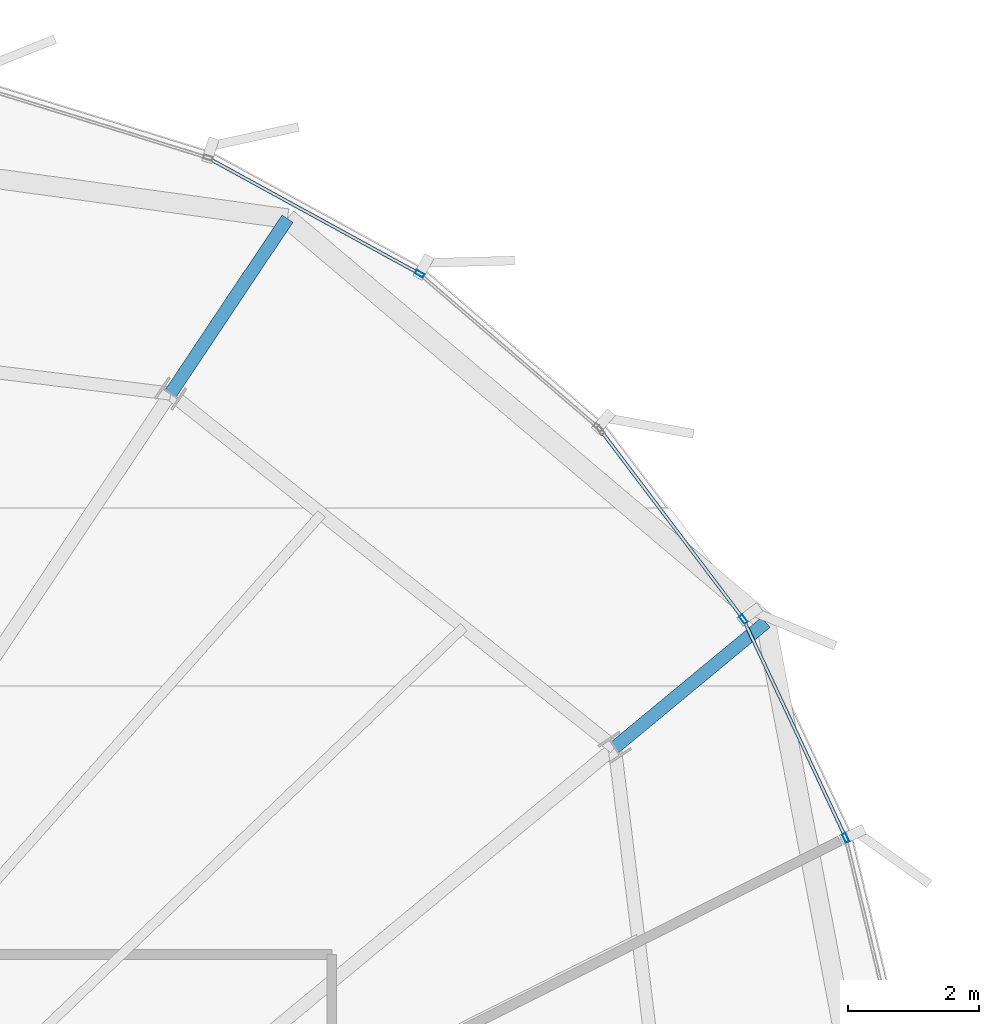
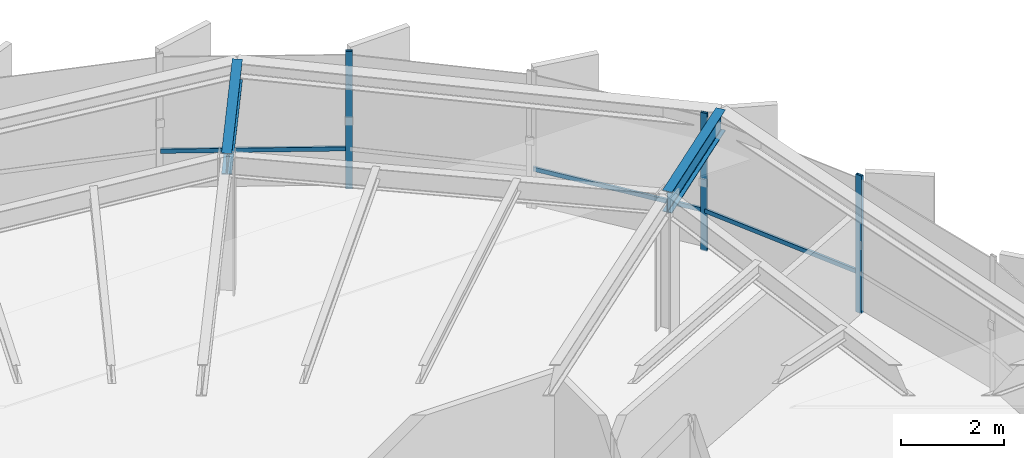
# One storey, part 25 of 34: 6 members, 2 beams, 2 elements without a shape of their own.
"""IFC4 building model written with IfcOpenShell, lengths in metres."""

from ifc_helpers import new_model, si_unit, direction, frame, origin, origin_2d, place, context, subcontext, project, spatial, hollow_rectangle, i_section, extrude, source, transform, mapped, material, layer, layer_set, material_profile, profile_set, type_object, element, aggregate, save


model = new_model("IFC4")

# Units and contexts
model_context = context("Model", 3, precision=1e-05, world=origin(), true_north=direction((0.0, 1.0)))
body_context = subcontext(model_context, "Body", "Model", "MODEL_VIEW")
ifc_project = project(units=[si_unit("LENGTHUNIT", "METRE"), si_unit("AREAUNIT", "SQUARE_METRE"), si_unit("VOLUMEUNIT", "CUBIC_METRE"), si_unit("PLANEANGLEUNIT", "RADIAN"), si_unit("MASSUNIT", "GRAM", prefix="KILO"), si_unit("THERMODYNAMICTEMPERATUREUNIT", "KELVIN")], contexts=[model_context])

# Site, building, storey
site_placement = place(None, origin())
site = spatial("IfcSite", under=ifc_project, at=site_placement, CompositionType="ELEMENT")
building_placement = place(site_placement, origin())
building = spatial("IfcBuilding", under=site, at=building_placement, Name="Kethvar Cultural Tower", CompositionType="ELEMENT")
storey_placement = place(building_placement, frame((0.0, 0.0, 207.89990234375)))
storey = spatial("IfcBuildingStorey", under=building, at=storey_placement, Name="L54", CompositionType="ELEMENT", Elevation=207.89990234375)

# Beams
ifc_material_1 = material(Name="Steel S355J2", Category="steel")
ifc_material_profile_1 = material_profile(ifc_material_1, i_section(OverallWidth=0.199951171875, OverallDepth=0.5, WebThickness=0.01025390625, FlangeThickness=0.01611328125, FilletRadius=0.02099609375, at=origin_2d()), Name="Steel S355J2 — IPE500")
ifc_profile_set_1 = profile_set([ifc_material_profile_1], Name="Steel S355J2 — IPE500")
beam_type = type_object("IfcBeamType", Name="BM-IPE500", PredefinedType="BEAM", material=ifc_profile_set_1)
shared_shape_1 = source(origin(), body_context, "Body", "SweptSolid", [
    extrude(i_section(OverallWidth=0.199951171875, OverallDepth=0.5, WebThickness=0.01025390625, FlangeThickness=0.01611328125, FilletRadius=0.02099609375, at=origin_2d()), origin(), (0.0, 0.0, 1.0), 3.2001953125),
])
beam_1_placement = place(storey_placement, frame((58.748046875, 45.681396484375, 3.008056640625), z_axis=(0.555544970406, 0.831486491686, 0.0), x_axis=(-0.831486491686, 0.555544970406, 0.0)))
element("IfcBeam", 1, at=beam_1_placement, inside=storey, type_object=beam_type, Name="L54 Perimeter Cantilever Beam RC-03", PredefinedType="BEAM", context=body_context, shape_type="MappedRepresentation", body=[
    mapped(shared_shape_1, transform((0.0, 0.0, 0.0), scale=1.0)),
])
shared_shape_2 = source(origin(), body_context, "Body", "SweptSolid", [
    extrude(i_section(OverallWidth=0.199951171875, OverallDepth=0.5, WebThickness=0.01025390625, FlangeThickness=0.01611328125, FilletRadius=0.02099609375, at=origin_2d()), origin(), (0.0, 0.0, 1.0), 2.985595703125),
])
beam_2_placement = place(storey_placement, frame((65.504150390625, 40.297607421875, 3.008056640625), z_axis=(0.770308443075, 0.637671469119, 0.0), x_axis=(-0.637671469119, 0.770308443075, 0.0)))
element("IfcBeam", 2, at=beam_2_placement, inside=storey, type_object=beam_type, Name="L54 Perimeter Cantilever Beam RC-02", PredefinedType="BEAM", context=body_context, shape_type="MappedRepresentation", body=[
    mapped(shared_shape_2, transform((0.0, 0.0, 0.0), scale=1.0)),
])

# Curtain wall, member
ifc_material_2 = material(Name="Aluminium 6063-T6", Category="aluminium")
ifc_layer = layer(ifc_material_2, 0.179931640625, Name="Aluminium 6063-T6", Category="aluminium")
ifc_layer_set = layer_set([ifc_layer], Name="Aluminium 6063-T6 (180 mm)")
curtain_wall_type = type_object("IfcCurtainWallType", Name="CW-SYS-04-Z34", PredefinedType="NOTDEFINED", material=ifc_layer_set)
curtain_wall_1_placement = place(storey_placement, origin())
curtain_wall_1 = element("IfcCurtainWall", 3, at=curtain_wall_1_placement, inside=storey, type_object=curtain_wall_type, Name="L54 Curtain Wall Run 01", PredefinedType="NOTDEFINED")
ifc_material_profile_2 = material_profile(ifc_material_2, hollow_rectangle(XDim=0.06005859375, YDim=0.139892578125, WallThickness=0.0048828125, at=origin_2d()), Name="Aluminium 6063-T6 — RHS140x60x5")
ifc_profile_set_2 = profile_set([ifc_material_profile_2], Name="Aluminium 6063-T6 — RHS140x60x5")
member_type_1 = type_object("IfcMemberType", Name="CW-SYS-04-Z34-MUL", PredefinedType="MULLION", material=ifc_profile_set_2)
shared_shape_3 = source(origin(), body_context, "Body", "SweptSolid", [
    extrude(hollow_rectangle(XDim=0.06005859375, YDim=0.139892578125, WallThickness=0.0048828125, at=origin_2d()), origin(), (0.0, 0.0, 1.0), 3.260009765625),
])
member_1_placement = place(storey_placement, frame((62.537841796875, 47.501953125, 0.0), z_axis=(0.0, 0.0, 1.0), x_axis=(-0.480223497443, -0.877146163706, 0.0)))
member_1 = element("IfcMember", 4, at=member_1_placement, type_object=member_type_1, Name="CW-L54-R01 Mullion 2", PredefinedType="MULLION", context=body_context, shape_type="MappedRepresentation", body=[
    mapped(shared_shape_3, transform((0.0, 0.0, 0.0), scale=1.0)),
])

# Curtain wall, members
curtain_wall_2_placement = place(storey_placement, origin())
curtain_wall_2 = element("IfcCurtainWall", 5, at=curtain_wall_2_placement, inside=storey, type_object=curtain_wall_type, Name="L54 Curtain Wall Run 06", PredefinedType="NOTDEFINED")
member_2_placement = place(storey_placement, frame((69.01904296875, 38.9228515625, 0.0), z_axis=(0.0, 0.0, 1.0), x_axis=(-0.905561395197, -0.424215227838, 0.0)))
member_2 = element("IfcMember", 6, at=member_2_placement, type_object=member_type_1, Name="CW-L54-R06 Mullion 5", PredefinedType="MULLION", context=body_context, shape_type="MappedRepresentation", body=[
    mapped(shared_shape_3, transform((0.0, 0.0, 0.0), scale=1.0)),
])
member_3_placement = place(storey_placement, frame((67.463134765625, 42.25, 0.0), z_axis=(0.0, 0.0, 1.0), x_axis=(-0.797499697327, -0.60331934559, 0.0)))
member_3 = element("IfcMember", 7, at=member_3_placement, type_object=member_type_1, Name="CW-L54-R06 Mullion 6", PredefinedType="MULLION", context=body_context, shape_type="MappedRepresentation", body=[
    mapped(shared_shape_3, transform((0.0, 0.0, 0.0), scale=1.0)),
])

# Member
ifc_material_profile_3 = material_profile(ifc_material_2, hollow_rectangle(XDim=0.050048828125, YDim=0.10009765625, WallThickness=0.00390625, at=origin_2d()), Name="Aluminium 6063-T6 — RHS100x50x4")
ifc_profile_set_3 = profile_set([ifc_material_profile_3], Name="Aluminium 6063-T6 — RHS100x50x4")
member_type_2 = type_object("IfcMemberType", Name="CW-SYS-04-Z34-TRN", PredefinedType="USERDEFINED", material=ifc_profile_set_3)
shared_shape_4 = source(origin(), body_context, "Body", "SweptSolid", [
    extrude(hollow_rectangle(XDim=0.050048828125, YDim=0.10009765625, WallThickness=0.00390625, at=origin_2d()), origin(), (0.0, 0.0, 1.0), 3.609375),
])
member_4_placement = place(storey_placement, frame((62.5, 47.522705078125, 0.9501953125), z_axis=(-0.877139685227, 0.480235330437, 0.0), x_axis=(-0.480235330437, -0.877139685227, 0.0)))
member_4 = element("IfcMember", 8, at=member_4_placement, type_object=member_type_2, Name="CW-L54-R01 Transom 2", ObjectType="TRANSOM", PredefinedType="USERDEFINED", context=body_context, shape_type="MappedRepresentation", body=[
    mapped(shared_shape_4, transform((0.0, 0.0, 0.0), scale=1.0)),
])

aggregate(curtain_wall_1, [member_1, member_4])

member_5_placement = place(storey_placement, frame((69.000732421875, 38.962158203125, 0.9501953125), z_axis=(-0.424232843688, 0.905553142745, 0.0), x_axis=(-0.905553142745, -0.424232843688, 0.0)))
member_5 = element("IfcMember", 9, at=member_5_placement, type_object=member_type_2, Name="CW-L54-R06 Transom 5", ObjectType="TRANSOM", PredefinedType="USERDEFINED", context=body_context, shape_type="MappedRepresentation", body=[
    mapped(shared_shape_4, transform((0.0, 0.0, 0.0), scale=1.0)),
])

shared_shape_5 = source(origin(), body_context, "Body", "SweptSolid", [
    extrude(hollow_rectangle(XDim=0.050048828125, YDim=0.10009765625, WallThickness=0.00390625, at=origin_2d()), origin(), (0.0, 0.0, 1.0), 3.55712890625),
])
member_6_placement = place(storey_placement, frame((67.43701171875, 42.284423828125, 0.9501953125), z_axis=(-0.60328932526, 0.797522407226, 0.0), x_axis=(-0.797522407226, -0.60328932526, 0.0)))
member_6 = element("IfcMember", 10, at=member_6_placement, type_object=member_type_2, Name="CW-L54-R06 Transom 6", ObjectType="TRANSOM", PredefinedType="USERDEFINED", context=body_context, shape_type="MappedRepresentation", body=[
    mapped(shared_shape_5, transform((0.0, 0.0, 0.0), scale=1.0)),
])

aggregate(curtain_wall_2, [member_2, member_3, member_5, member_6])

save(model, "model.ifc")
